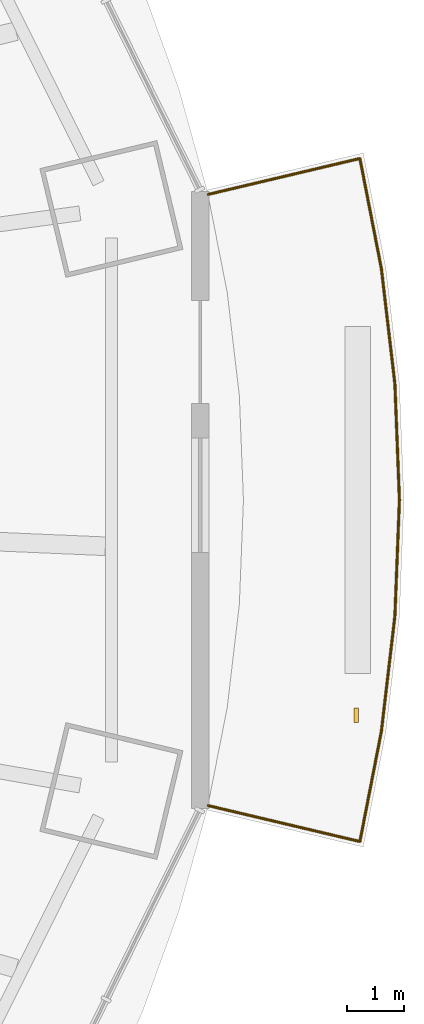
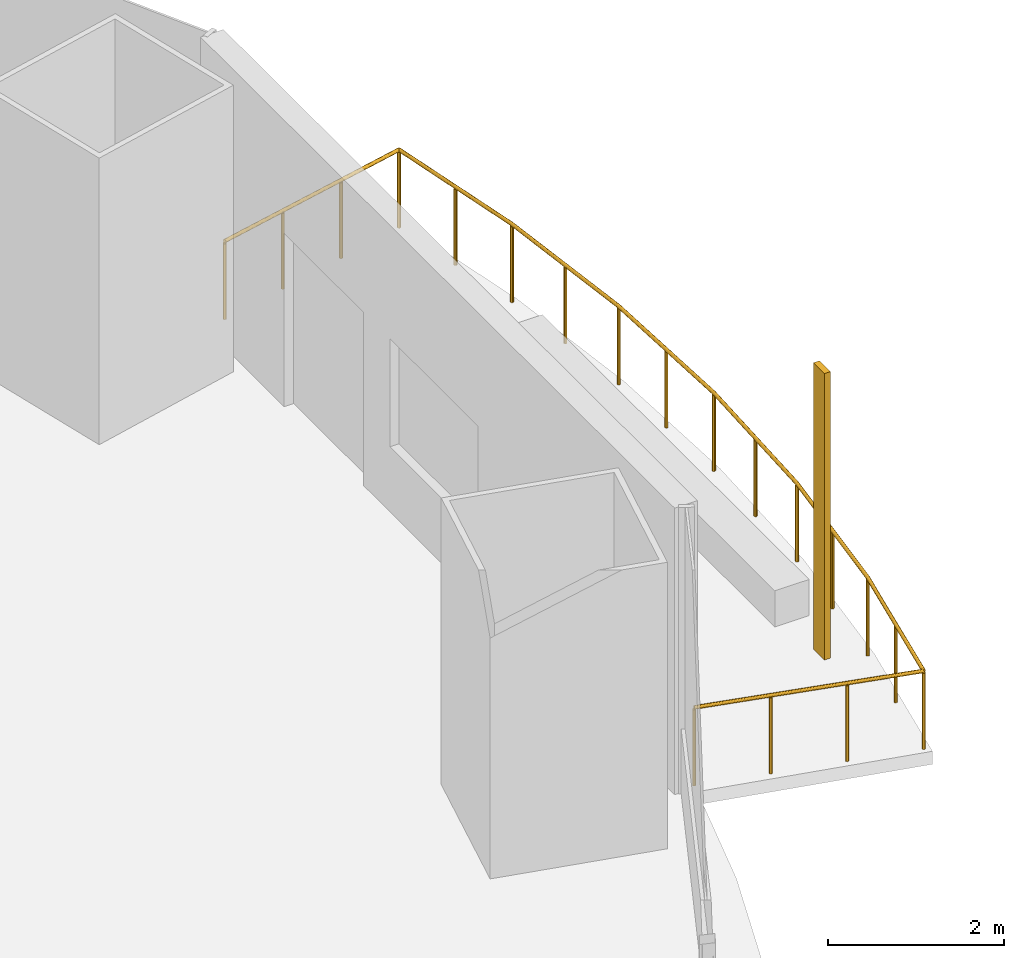
# One storey, part 20 of 21: 1 railing, 1 shading device.
"""IFC4 building model written with IfcOpenShell, lengths in metres."""

from ifc_helpers import new_model, si_unit, direction, frame, origin, origin_2d, place, context, subcontext, project, spatial, rectangle, circle, extrude, material, material_profile, profile_set, type_object, element, save


model = new_model("IFC4")

# Units and contexts
model_context = context("Model", 3, precision=1e-05, world=origin(), true_north=direction((0.0, 1.0)))
body_context = subcontext(model_context, "Body", "Model", "MODEL_VIEW")
ifc_project = project(units=[si_unit("LENGTHUNIT", "METRE"), si_unit("AREAUNIT", "SQUARE_METRE"), si_unit("VOLUMEUNIT", "CUBIC_METRE"), si_unit("PLANEANGLEUNIT", "RADIAN"), si_unit("MASSUNIT", "GRAM", prefix="KILO")], contexts=[model_context])

# Site, building, storey
site_placement = place(None, origin())
site = spatial("IfcSite", under=ifc_project, at=site_placement, CompositionType="ELEMENT")
building_placement = place(site_placement, origin())
building = spatial("IfcBuilding", under=site, at=building_placement, Name="Marenthal Gate Tower", CompositionType="ELEMENT")
storey_placement = place(building_placement, frame((0.0, 0.0, 169.35009765625)))
storey = spatial("IfcBuildingStorey", under=building, at=storey_placement, Name="L36", CompositionType="ELEMENT", Elevation=169.35009765625)

# Railing
ifc_material_1 = material(Name="Stainless steel", Category="steel")
railing_type = type_object("IfcRailingType", Name="Balcony guard 1100", PredefinedType="GUARDRAIL", material=ifc_material_1)
railing_placement = place(storey_placement, frame((34.202880859375, 4.728515625, 0.0)))
element("IfcRailing", 1, at=railing_placement, inside=storey, type_object=railing_type, Name="Balcony guard L36 bay 16", PredefinedType="GUARDRAIL", context=body_context, shape_type="SweptSolid", body=[
    extrude(circle(Radius=0.02392578125, at=origin_2d()), frame((0.0, 0.0, 1.076171875), z_axis=(0.972991835715, 0.230369861859, -0.014717825222), x_axis=(-0.230394816626, 0.97309723485, 0.0)), (0.0, 0.0, 1.0), 2.720458984375),
    extrude(circle(Radius=0.02392578125, at=origin_2d()), frame((2.64697265625, 0.626708984375, 1.0361328125), z_axis=(0.191378192155, -0.981516371523, 0.0), x_axis=(0.981516371523, 0.191378192155, 0.0)), (0.0, 0.0, 1.0), 1.953125),
    extrude(circle(Radius=0.02392578125, at=origin_2d()), frame((3.020751953125, -1.290283203125, 1.0361328125), z_axis=(0.116533907745, -0.993186713738, 0.0), x_axis=(0.993186713738, 0.116533907745, 0.0)), (0.0, 0.0, 1.0), 2.028076171875),
    extrude(circle(Radius=0.02392578125, at=origin_2d()), frame((3.257080078125, -3.304443359375, 1.0361328125), z_axis=(0.039048714007, -0.999237308118, 0.0), x_axis=(0.999237308118, 0.039048714007, 0.0)), (0.0, 0.0, 1.0), 2.025634765625),
    extrude(circle(Radius=0.02392578125, at=origin_2d()), frame((3.336181640625, -5.32861328125, 1.0361328125), z_axis=(-0.039053417163, -0.999237124314, 0.0), x_axis=(0.999237124314, -0.039053417163, 0.0)), (0.0, 0.0, 1.0), 2.025390625),
    extrude(circle(Radius=0.02392578125, at=origin_2d()), frame((3.257080078125, -7.3525390625, 1.0361328125), z_axis=(-0.116533907745, -0.993186713738, 0.0), x_axis=(0.993186713738, -0.116533907745, 0.0)), (0.0, 0.0, 1.0), 2.028076171875),
    extrude(circle(Radius=0.02392578125, at=origin_2d()), frame((3.020751953125, -9.36669921875, 1.0361328125), z_axis=(-0.191378192155, -0.981516371523, 0.0), x_axis=(0.981516371523, -0.191378192155, 0.0)), (0.0, 0.0, 1.0), 1.953125),
    extrude(circle(Radius=0.02392578125, at=origin_2d()), frame((2.64697265625, -11.28369140625, 1.0361328125), z_axis=(-0.972991835715, 0.230369861859, 0.014717825222), x_axis=(-0.230394816626, -0.97309723485, 0.0)), (0.0, 0.0, 1.0), 2.720458984375),
    extrude(circle(Radius=0.02099609375, at=origin_2d()), origin(), (0.0, 0.0, 1.0), 1.052001953125),
    extrude(circle(Radius=0.02099609375, at=origin_2d()), frame((0.88232421875, 0.208984375, -0.013427734375)), (0.0, 0.0, 1.0), 1.052001953125),
    extrude(circle(Radius=0.02099609375, at=origin_2d()), frame((1.7646484375, 0.417724609375, -0.026611328125)), (0.0, 0.0, 1.0), 1.052001953125),
    extrude(circle(Radius=0.02099609375, at=origin_2d()), frame((2.64697265625, 0.626708984375, -0.0400390625)), (0.0, 0.0, 1.0), 1.052001953125),
    extrude(circle(Radius=0.02099609375, at=origin_2d()), frame((2.833984375, -0.331787109375, -0.0400390625)), (0.0, 0.0, 1.0), 1.052001953125),
    extrude(circle(Radius=0.02099609375, at=origin_2d()), frame((3.020751953125, -1.290283203125, -0.0400390625)), (0.0, 0.0, 1.0), 1.052001953125),
    extrude(circle(Radius=0.02099609375, at=origin_2d()), frame((3.138916015625, -2.29736328125, -0.0400390625)), (0.0, 0.0, 1.0), 1.052001953125),
    extrude(circle(Radius=0.02099609375, at=origin_2d()), frame((3.257080078125, -3.304443359375, -0.0400390625)), (0.0, 0.0, 1.0), 1.052001953125),
    extrude(circle(Radius=0.02099609375, at=origin_2d()), frame((3.296630859375, -4.31640625, -0.0400390625)), (0.0, 0.0, 1.0), 1.052001953125),
    extrude(circle(Radius=0.02099609375, at=origin_2d()), frame((3.336181640625, -5.32861328125, -0.0400390625)), (0.0, 0.0, 1.0), 1.052001953125),
    extrude(circle(Radius=0.02099609375, at=origin_2d()), frame((3.296630859375, -6.340576171875, -0.0400390625)), (0.0, 0.0, 1.0), 1.052001953125),
    extrude(circle(Radius=0.02099609375, at=origin_2d()), frame((3.257080078125, -7.3525390625, -0.0400390625)), (0.0, 0.0, 1.0), 1.052001953125),
    extrude(circle(Radius=0.02099609375, at=origin_2d()), frame((3.138916015625, -8.359619140625, -0.0400390625)), (0.0, 0.0, 1.0), 1.052001953125),
    extrude(circle(Radius=0.02099609375, at=origin_2d()), frame((3.020751953125, -9.36669921875, -0.0400390625)), (0.0, 0.0, 1.0), 1.052001953125),
    extrude(circle(Radius=0.02099609375, at=origin_2d()), frame((2.833984375, -10.3251953125, -0.0400390625)), (0.0, 0.0, 1.0), 1.052001953125),
    extrude(circle(Radius=0.02099609375, at=origin_2d()), frame((2.64697265625, -11.28369140625, -0.0400390625)), (0.0, 0.0, 1.0), 1.052001953125),
    extrude(circle(Radius=0.02099609375, at=origin_2d()), frame((1.7646484375, -11.07470703125, -0.026611328125)), (0.0, 0.0, 1.0), 1.052001953125),
    extrude(circle(Radius=0.02099609375, at=origin_2d()), frame((0.88232421875, -10.865966796875, -0.013427734375)), (0.0, 0.0, 1.0), 1.052001953125),
    extrude(circle(Radius=0.02099609375, at=origin_2d()), frame((0.0, -10.656982421875, 0.0)), (0.0, 0.0, 1.0), 1.052001953125),
])

# Shading device
ifc_material_2 = material(Name="Terracotta", Category="masonry")
ifc_material_profile = material_profile(ifc_material_2, rectangle(XDim=0.25, YDim=0.080078125, at=origin_2d()), Name="Terracotta baguette 250x80")
ifc_profile_set = profile_set([ifc_material_profile], Name="Terracotta")
shading_device_type = type_object("IfcShadingDeviceType", Name="Terracotta BAGUETTE SCREEN 250x80", PredefinedType="USERDEFINED", material=ifc_profile_set)
shading_device_placement = place(storey_placement, frame((36.787109375, -4.35205078125, -0.0400390625), z_axis=(0.0, 0.0, 1.0), x_axis=(0.0, 1.0, 0.0)))
element("IfcShadingDevice", 2, at=shading_device_placement, inside=storey, type_object=shading_device_type, Name="Terracotta BAGUETTE L36 bay 16L", ObjectType="BAGUETTE SCREEN", PredefinedType="USERDEFINED", context=body_context, shape_type="SweptSolid", body=[
    extrude(rectangle(XDim=0.25, YDim=0.080078125, at=origin_2d()), origin(), (0.0, 0.0, 1.0), 3.969970703125),
])

save(model, "model.ifc")
